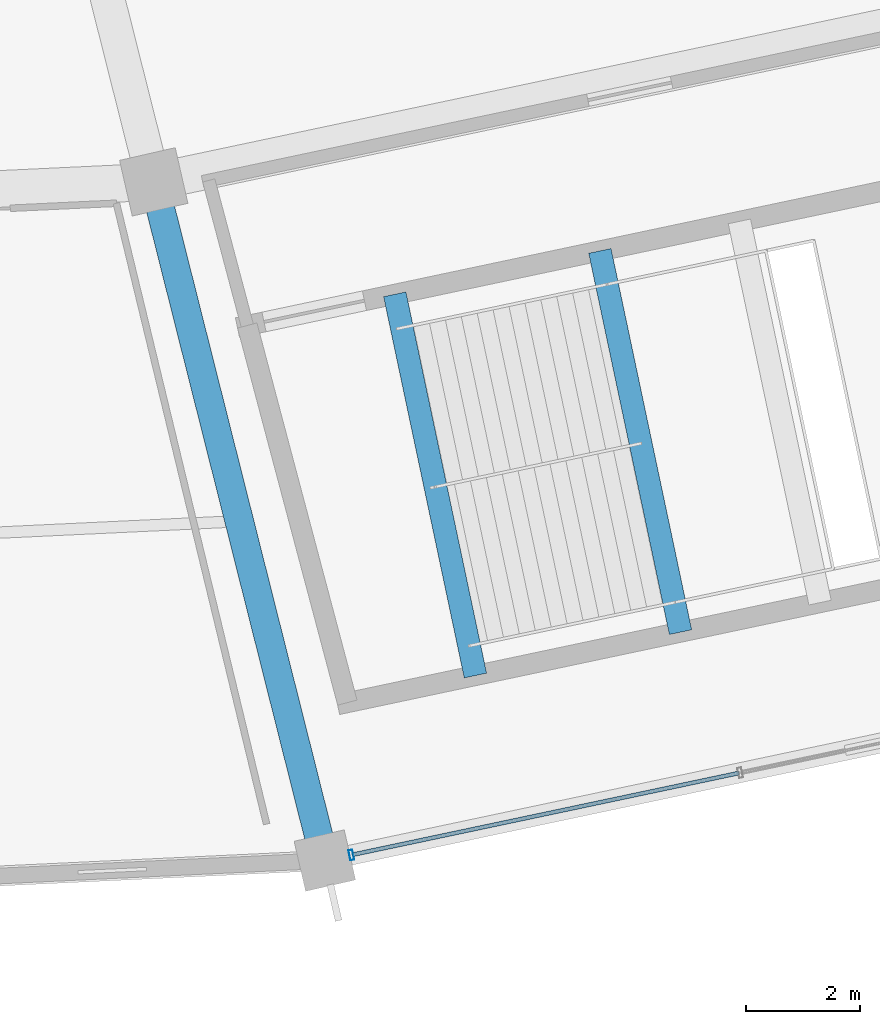
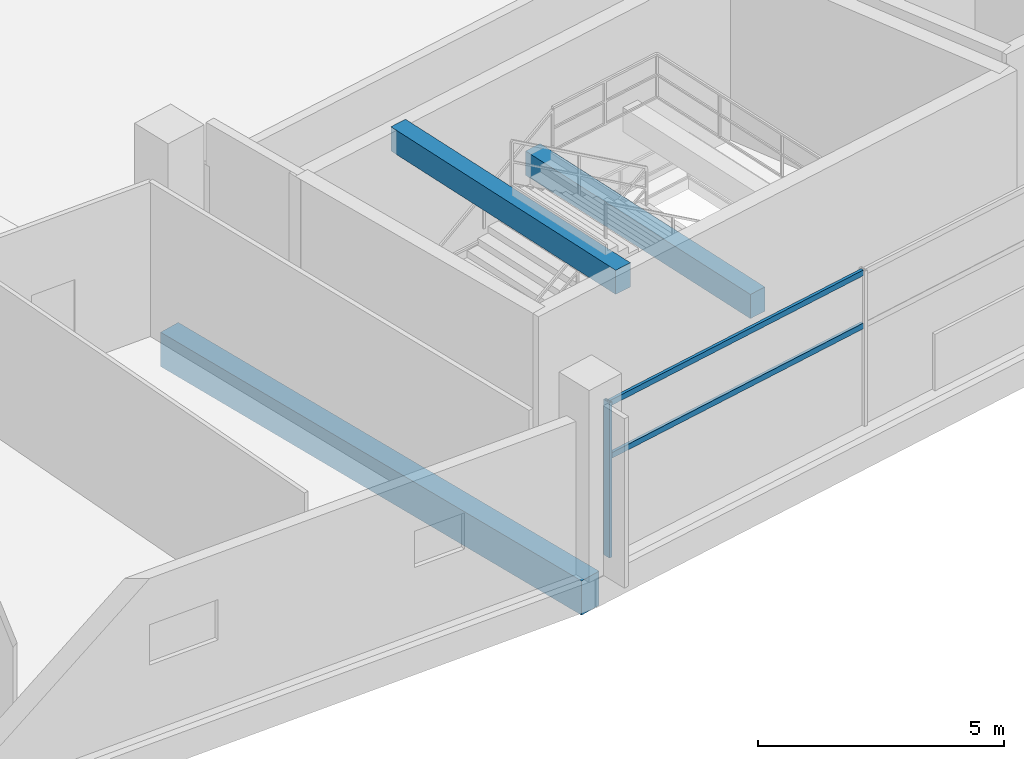
# One storey, part 23 of 156: 3 beams, 3 members, 1 element without a shape of its own.
"""IFC4 building model written with IfcOpenShell, lengths in metres."""

from ifc_helpers import new_model, si_unit, direction, frame, origin, origin_2d, place, context, subcontext, project, spatial, rectangle, hollow_rectangle, extrude, material, layer, layer_set, material_profile, profile_set, type_object, element, aggregate, save


model = new_model("IFC4")

# Units and contexts
model_context = context("Model", 3, precision=1e-05, world=origin(), true_north=direction((0.0, 1.0)))
body_context = subcontext(model_context, "Body", "Model", "MODEL_VIEW")
ifc_project = project(units=[si_unit("LENGTHUNIT", "METRE"), si_unit("AREAUNIT", "SQUARE_METRE"), si_unit("VOLUMEUNIT", "CUBIC_METRE"), si_unit("PLANEANGLEUNIT", "RADIAN"), si_unit("MASSUNIT", "GRAM", prefix="KILO")], contexts=[model_context])

# Site, building, storey
site_placement = place(None, origin())
site = spatial("IfcSite", under=ifc_project, at=site_placement, CompositionType="ELEMENT")
building_placement = place(site_placement, origin())
building = spatial("IfcBuilding", under=site, at=building_placement, Name="Kazemori Nagisa Stadium", CompositionType="ELEMENT")
storey_placement = place(building_placement, frame((0.0, 0.0, 5.780029296875)))
storey = spatial("IfcBuildingStorey", under=building, at=storey_placement, Name="L01", CompositionType="ELEMENT", Elevation=5.780029296875)

# Beams
ifc_material_1 = material(Name="Concrete C40/50 (Fc42)", Category="concrete")
ifc_material_profile_1 = material_profile(ifc_material_1, rectangle(XDim=0.39990234375, YDim=0.60009765625, at=origin_2d()), Name="RC-BM-400x600")
ifc_profile_set_1 = profile_set([ifc_material_profile_1], Name="Concrete C40/50 (Fc42)")
beam_type_1 = type_object("IfcBeamType", Name="Beam_BG-LND400X600", PredefinedType="BEAM", material=ifc_profile_set_1)
beam_1_placement = place(storey_placement, frame((149.248046875, 27.701171875, 1.8798828125), z_axis=(0.206990166222, -0.978343023222, 0.0), x_axis=(0.978343023222, 0.206990166222, 0.0)))
element("IfcBeam", 1, at=beam_1_placement, inside=storey, type_object=beam_type_1, Name="Core stair mid-landing girder ST06-L01-1", PredefinedType="BEAM", context=body_context, shape_type="SweptSolid", body=[
    extrude(rectangle(XDim=0.39990234375, YDim=0.60009765625, at=origin_2d()), origin(), (0.0, 0.0, 1.0), 6.83154296875),
])
beam_2_placement = place(storey_placement, frame((145.652587890625, 26.9404296875, 4.199951171875), z_axis=(0.206997403527, -0.978341491982, 0.0), x_axis=(0.978341491982, 0.206997403527, 0.0)))
element("IfcBeam", 2, at=beam_2_placement, inside=storey, type_object=beam_type_1, Name="Core stair arrival header girder ST06-L01", PredefinedType="BEAM", context=body_context, shape_type="SweptSolid", body=[
    extrude(rectangle(XDim=0.39990234375, YDim=0.60009765625, at=origin_2d()), origin(), (0.0, 0.0, 1.0), 6.831298828125),
])
ifc_material_profile_2 = material_profile(ifc_material_1, rectangle(XDim=0.5, YDim=0.85009765625, at=origin_2d()), Name="RC-BM-500x850")
ifc_profile_set_2 = profile_set([ifc_material_profile_2], Name="Concrete C40/50 (Fc42)")
beam_type_2 = type_object("IfcBeamType", Name="Beam_BG-RC500X850", PredefinedType="BEAM", material=ifc_profile_set_2)
beam_3_placement = place(storey_placement, frame((141.427734375, 28.911376953125, -0.705078125), z_axis=(0.244487324834, -0.969652488263, 0.0), x_axis=(0.969652488263, 0.244487324834, 0.0)))
element("IfcBeam", 3, at=beam_3_placement, inside=storey, type_object=beam_type_2, Name="Radial girder BG-RC500X850 L01 R2-R3-23", PredefinedType="BEAM", context=body_context, shape_type="SweptSolid", body=[
    extrude(rectangle(XDim=0.5, YDim=0.85009765625, at=origin_2d()), origin(), (0.0, 0.0, 1.0), 12.2705078125),
])

# Curtain wall, members
ifc_material_2 = material(Name="Anodised aluminium 6063-T5", Category="aluminium")
ifc_layer = layer(ifc_material_2, 0.179931640625, Name="Anodised aluminium 6063-T5", Category="aluminium")
ifc_layer_set = layer_set([ifc_layer], Name="Anodised aluminium 6063-T5")
curtain_wall_type = type_object("IfcCurtainWallType", Name="CW_L01R3_105", PredefinedType="USERDEFINED", material=ifc_layer_set)
curtain_wall_placement = place(storey_placement, origin())
curtain_wall = element("IfcCurtainWall", 4, at=curtain_wall_placement, inside=storey, type_object=curtain_wall_type, Name="Unitised curtain wall CW-L01R3-105 L01", ObjectType="UNITISED CURTAIN WALL", PredefinedType="USERDEFINED")
ifc_material_3 = material(Name="Aluminium 6063-T5 anodised", Category="aluminium")
ifc_material_profile_3 = material_profile(ifc_material_3, hollow_rectangle(XDim=0.070068359375, YDim=0.179931640625, WallThickness=0.00390625, at=origin_2d()), Name="ALU-MULL-70x180x4")
ifc_profile_set_3 = profile_set([ifc_material_profile_3], Name="Aluminium 6063-T5 anodised")
member_type_1 = type_object("IfcMemberType", Name="Mullion_M01", PredefinedType="MULLION", material=ifc_profile_set_3)
member_1_placement = place(storey_placement, frame((144.892333984375, 17.111572265625, 0.0), z_axis=(0.0, 0.0, 1.0), x_axis=(0.978344955407, 0.206981033502, 0.0)))
member_1 = element("IfcMember", 5, at=member_1_placement, type_object=member_type_1, Name="Curtain wall mullion CW-L01R3-105-M1", PredefinedType="MULLION", context=body_context, shape_type="SweptSolid", body=[
    extrude(hollow_rectangle(XDim=0.070068359375, YDim=0.179931640625, WallThickness=0.00390625, at=origin_2d()), origin(), (0.0, 0.0, 1.0), 3.849853515625),
])
ifc_material_profile_4 = material_profile(ifc_material_3, hollow_rectangle(XDim=0.070068359375, YDim=0.139892578125, WallThickness=0.00390625, at=origin_2d()), Name="ALU-TRAN-70x140x4")
ifc_profile_set_4 = profile_set([ifc_material_profile_4], Name="Aluminium 6063-T5 anodised")
member_type_2 = type_object("IfcMemberType", Name="Transom_T01", PredefinedType="USERDEFINED", material=ifc_profile_set_4)
member_2_placement = place(storey_placement, frame((144.911865234375, 17.11572265625, 2.4638671875), z_axis=(0.978348879673, 0.20696248366, 0.0), x_axis=(-0.20696248366, 0.978348879673, 0.0)))
member_2 = element("IfcMember", 6, at=member_2_placement, type_object=member_type_2, Name="Curtain wall transom CW-L01R3-105-T1-mid", ObjectType="TRANSOM", PredefinedType="USERDEFINED", context=body_context, shape_type="SweptSolid", body=[
    extrude(hollow_rectangle(XDim=0.070068359375, YDim=0.139892578125, WallThickness=0.00390625, at=origin_2d()), origin(), (0.0, 0.0, 1.0), 6.9267578125),
])
member_3_placement = place(storey_placement, frame((144.911865234375, 17.11572265625, 3.780029296875), z_axis=(0.978348879673, 0.20696248366, 0.0), x_axis=(-0.20696248366, 0.978348879673, 0.0)))
member_3 = element("IfcMember", 7, at=member_3_placement, type_object=member_type_2, Name="Curtain wall transom CW-L01R3-105-T1-head", ObjectType="TRANSOM", PredefinedType="USERDEFINED", context=body_context, shape_type="SweptSolid", body=[
    extrude(hollow_rectangle(XDim=0.070068359375, YDim=0.139892578125, WallThickness=0.00390625, at=origin_2d()), origin(), (0.0, 0.0, 1.0), 6.9267578125),
])
aggregate(curtain_wall, [member_1, member_2, member_3])

save(model, "model.ifc")
